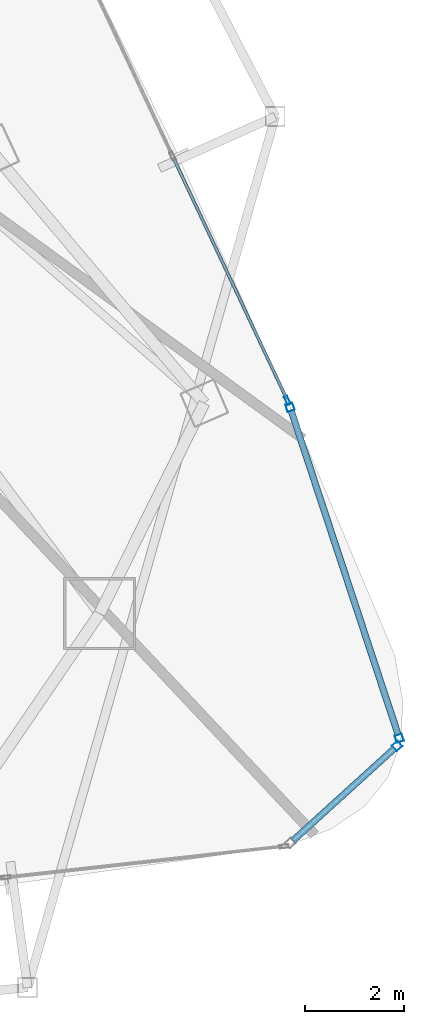
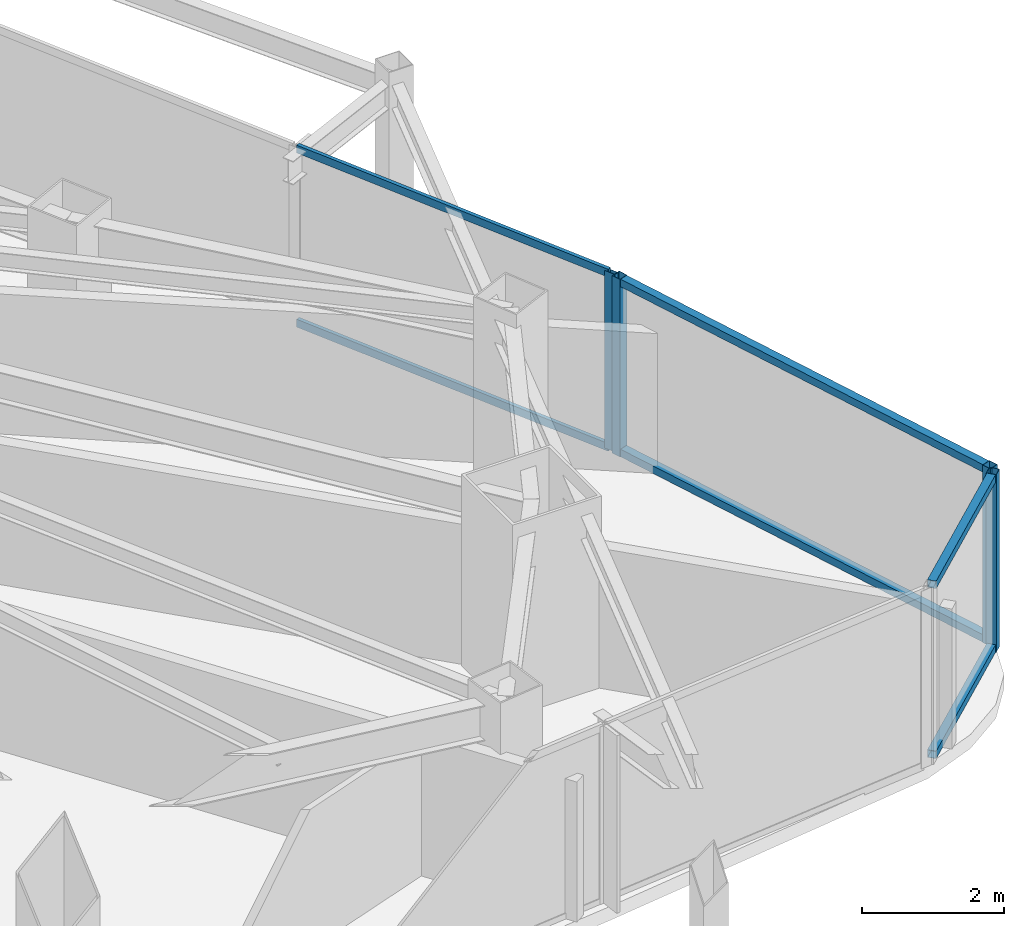
# One storey, part 14 of 29: 10 members, 3 elements without a shape of their own.
"""IFC4 building model written with IfcOpenShell, lengths in metres."""

from ifc_helpers import new_model, si_unit, direction, frame, origin, origin_2d, place, context, subcontext, project, spatial, hollow_rectangle, extrude, material, layer, layer_set, material_profile, profile_set, type_object, element, aggregate, save


model = new_model("IFC4")

# Units and contexts
model_context = context("Model", 3, precision=1e-05, world=origin(), true_north=direction((0.0, 1.0)))
body_context = subcontext(model_context, "Body", "Model", "MODEL_VIEW")
ifc_project = project(units=[si_unit("LENGTHUNIT", "METRE"), si_unit("AREAUNIT", "SQUARE_METRE"), si_unit("VOLUMEUNIT", "CUBIC_METRE"), si_unit("PLANEANGLEUNIT", "RADIAN"), si_unit("MASSUNIT", "GRAM", prefix="KILO")], contexts=[model_context])

# Site, building, storey
site_placement = place(None, origin())
site = spatial("IfcSite", under=ifc_project, at=site_placement, CompositionType="ELEMENT")
building_placement = place(site_placement, origin())
building = spatial("IfcBuilding", under=site, at=building_placement, Name="Orvanel Arch Residences", CompositionType="ELEMENT")
storey_placement = place(building_placement, frame((0.0, 0.0, 163.85009765625)))
storey = spatial("IfcBuildingStorey", under=building, at=storey_placement, Name="L46", CompositionType="ELEMENT", Elevation=163.85009765625)

# Curtain wall, member
ifc_material = material(Name="Bronze-anodised aluminium AA6063-T6", Category="aluminium")
ifc_layer_1 = layer(ifc_material, 0.18994140625)
ifc_layer_set_1 = layer_set([ifc_layer_1], Name="Bronze-anodised aluminium AA6063-T6")
curtain_wall_type_1 = type_object("IfcCurtainWallType", Name="CW5-CRN-SYS", PredefinedType="NOTDEFINED", material=ifc_layer_set_1)
curtain_wall_1_placement = place(storey_placement, origin())
curtain_wall_1 = element("IfcCurtainWall", 1, at=curtain_wall_1_placement, inside=storey, type_object=curtain_wall_type_1, Name="L46 CW5-CRN-SYS Unitised Curtain Wall", PredefinedType="NOTDEFINED")
ifc_material_profile_1 = material_profile(ifc_material, hollow_rectangle(XDim=0.14990234375, YDim=0.14990234375, WallThickness=0.0048828125, at=origin_2d()), Name="ALU150x150x5")
ifc_profile_set_1 = profile_set([ifc_material_profile_1], Name="Bronze-anodised aluminium AA6063-T6")
member_type_1 = type_object("IfcMemberType", Name="MUL-150x150", PredefinedType="MULLION", material=ifc_profile_set_1)
member_1_placement = place(storey_placement, frame((57.784423828125, 7.691650390625, 0.0), z_axis=(0.0, 0.0, 1.0), x_axis=(-0.672395615727, 0.740191958853, 0.0)))
member_1 = element("IfcMember", 2, at=member_1_placement, type_object=member_type_1, Name="CW-S5 mullion 2", PredefinedType="MULLION", context=body_context, shape_type="SweptSolid", body=[
    extrude(hollow_rectangle(XDim=0.14990234375, YDim=0.14990234375, WallThickness=0.0048828125, at=origin_2d()), origin(), (0.0, 0.0, 1.0), 3.059814453125),
])

# Curtain wall, members
curtain_wall_2_placement = place(storey_placement, origin())
curtain_wall_2 = element("IfcCurtainWall", 3, at=curtain_wall_2_placement, inside=storey, type_object=curtain_wall_type_1, Name="L46 CW5-CRN-SYS Unitised Curtain Wall", PredefinedType="NOTDEFINED")
member_2_placement = place(storey_placement, frame((57.825439453125, 7.84521484375, 0.0), z_axis=(0.0, 0.0, 1.0), x_axis=(-0.949629481018, -0.313374933239, 0.0)))
member_2 = element("IfcMember", 4, at=member_2_placement, type_object=member_type_1, Name="CW-S5 mullion 1", PredefinedType="MULLION", context=body_context, shape_type="SweptSolid", body=[
    extrude(hollow_rectangle(XDim=0.14990234375, YDim=0.14990234375, WallThickness=0.0048828125, at=origin_2d()), origin(), (0.0, 0.0, 1.0), 3.059814453125),
])
member_3_placement = place(storey_placement, frame((55.630615234375, 14.496826171875, 0.0), z_axis=(0.0, 0.0, 1.0), x_axis=(-0.949629481018, -0.313374933239, 0.0)))
member_3 = element("IfcMember", 5, at=member_3_placement, type_object=member_type_1, Name="CW-S5 mullion 2", PredefinedType="MULLION", context=body_context, shape_type="SweptSolid", body=[
    extrude(hollow_rectangle(XDim=0.14990234375, YDim=0.14990234375, WallThickness=0.0048828125, at=origin_2d()), origin(), (0.0, 0.0, 1.0), 3.059814453125),
])

# Curtain wall, member
ifc_layer_2 = layer(ifc_material, 0.179931640625)
ifc_layer_set_2 = layer_set([ifc_layer_2], Name="Bronze-anodised aluminium AA6063-T6")
curtain_wall_type_2 = type_object("IfcCurtainWallType", Name="CW3-MID-SYS", PredefinedType="NOTDEFINED", material=ifc_layer_set_2)
curtain_wall_3_placement = place(storey_placement, origin())
curtain_wall_3 = element("IfcCurtainWall", 6, at=curtain_wall_3_placement, inside=storey, type_object=curtain_wall_type_2, Name="L46 CW3-MID-SYS Unitised Curtain Wall", PredefinedType="NOTDEFINED")
ifc_material_profile_2 = material_profile(ifc_material, hollow_rectangle(XDim=0.070068359375, YDim=0.179931640625, WallThickness=0.00439453125, at=origin_2d()), Name="ALU180x70x4.5")
ifc_profile_set_2 = profile_set([ifc_material_profile_2], Name="Bronze-anodised aluminium AA6063-T6")
member_type_2 = type_object("IfcMemberType", Name="MUL-180x70", PredefinedType="MULLION", material=ifc_profile_set_2)
member_4_placement = place(storey_placement, frame((55.5771484375, 14.63671875, 0.0), z_axis=(0.0, 0.0, 1.0), x_axis=(-0.904972224309, -0.42547064908, 0.0)))
member_4 = element("IfcMember", 7, at=member_4_placement, type_object=member_type_2, Name="CW-S3 mullion 1", PredefinedType="MULLION", context=body_context, shape_type="SweptSolid", body=[
    extrude(hollow_rectangle(XDim=0.070068359375, YDim=0.179931640625, WallThickness=0.00439453125, at=origin_2d()), origin(), (0.0, 0.0, 1.0), 3.059814453125),
])

# Member
ifc_material_profile_3 = material_profile(ifc_material, hollow_rectangle(XDim=0.1298828125, YDim=0.1298828125, WallThickness=0.00439453125, at=origin_2d()), Name="ALU130x130x4.5")
ifc_profile_set_3 = profile_set([ifc_material_profile_3], Name="Bronze-anodised aluminium AA6063-T6")
member_type_3 = type_object("IfcMemberType", Name="TRN-130x130", PredefinedType="USERDEFINED", material=ifc_profile_set_3)
member_5_placement = place(storey_placement, frame((55.69091796875, 5.789794921875, 0.06494140625), z_axis=(0.740208829839, 0.672377043204, 0.0), x_axis=(-0.672377043204, 0.740208829839, 0.0)))
member_5 = element("IfcMember", 8, at=member_5_placement, type_object=member_type_3, Name="CW-S5 transom 1.1", ObjectType="TRANSOM", PredefinedType="USERDEFINED", context=body_context, shape_type="SweptSolid", body=[
    extrude(hollow_rectangle(XDim=0.1298828125, YDim=0.1298828125, WallThickness=0.00439453125, at=origin_2d()), origin(), (0.0, 0.0, 1.0), 2.75341796875),
])

member_6_placement = place(storey_placement, frame((55.69091796875, 5.789794921875, 2.994873046875), z_axis=(0.740208829839, 0.672377043204, 0.0), x_axis=(-0.672377043204, 0.740208829839, 0.0)))
member_6 = element("IfcMember", 9, at=member_6_placement, type_object=member_type_3, Name="CW-S5 transom 1.2", ObjectType="TRANSOM", PredefinedType="USERDEFINED", context=body_context, shape_type="SweptSolid", body=[
    extrude(hollow_rectangle(XDim=0.1298828125, YDim=0.1298828125, WallThickness=0.00439453125, at=origin_2d()), origin(), (0.0, 0.0, 1.0), 2.75341796875),
])

aggregate(curtain_wall_1, [member_1, member_5, member_6])

member_7_placement = place(storey_placement, frame((57.802001953125, 7.91650390625, 0.06494140625), z_axis=(-0.313373278504, 0.949630027074, 0.0), x_axis=(-0.949630027074, -0.313373278504, 0.0)))
member_7 = element("IfcMember", 10, at=member_7_placement, type_object=member_type_3, Name="CW-S5 transom 1.1", ObjectType="TRANSOM", PredefinedType="USERDEFINED", context=body_context, shape_type="SweptSolid", body=[
    extrude(hollow_rectangle(XDim=0.1298828125, YDim=0.1298828125, WallThickness=0.00439453125, at=origin_2d()), origin(), (0.0, 0.0, 1.0), 6.854248046875),
])

member_8_placement = place(storey_placement, frame((57.802001953125, 7.91650390625, 2.994873046875), z_axis=(-0.313373278504, 0.949630027074, 0.0), x_axis=(-0.949630027074, -0.313373278504, 0.0)))
member_8 = element("IfcMember", 11, at=member_8_placement, type_object=member_type_3, Name="CW-S5 transom 1.2", ObjectType="TRANSOM", PredefinedType="USERDEFINED", context=body_context, shape_type="SweptSolid", body=[
    extrude(hollow_rectangle(XDim=0.1298828125, YDim=0.1298828125, WallThickness=0.00439453125, at=origin_2d()), origin(), (0.0, 0.0, 1.0), 6.854248046875),
])

aggregate(curtain_wall_2, [member_2, member_3, member_7, member_8])

ifc_material_profile_4 = material_profile(ifc_material, hollow_rectangle(XDim=0.06005859375, YDim=0.135009765625, WallThickness=0.00390625, at=origin_2d()), Name="ALU135x60x4")
ifc_profile_set_4 = profile_set([ifc_material_profile_4], Name="Bronze-anodised aluminium AA6063-T6")
member_type_4 = type_object("IfcMemberType", Name="TRN-135x60", PredefinedType="USERDEFINED", material=ifc_profile_set_4)
member_9_placement = place(storey_placement, frame((55.562255859375, 14.66845703125, 0.02978515625), z_axis=(-0.425472047127, 0.904971567019, 0.0), x_axis=(-0.904971567019, -0.425472047127, 0.0)))
member_9 = element("IfcMember", 12, at=member_9_placement, type_object=member_type_4, Name="CW-S3 transom 1.1", ObjectType="TRANSOM", PredefinedType="USERDEFINED", context=body_context, shape_type="SweptSolid", body=[
    extrude(hollow_rectangle(XDim=0.06005859375, YDim=0.135009765625, WallThickness=0.00390625, at=origin_2d()), origin(), (0.0, 0.0, 1.0), 5.354736328125),
])

member_10_placement = place(storey_placement, frame((55.562255859375, 14.66845703125, 3.02978515625), z_axis=(-0.425472047127, 0.904971567019, 0.0), x_axis=(-0.904971567019, -0.425472047127, 0.0)))
member_10 = element("IfcMember", 13, at=member_10_placement, type_object=member_type_4, Name="CW-S3 transom 1.2", ObjectType="TRANSOM", PredefinedType="USERDEFINED", context=body_context, shape_type="SweptSolid", body=[
    extrude(hollow_rectangle(XDim=0.06005859375, YDim=0.135009765625, WallThickness=0.00390625, at=origin_2d()), origin(), (0.0, 0.0, 1.0), 5.354736328125),
])

aggregate(curtain_wall_3, [member_4, member_9, member_10])

save(model, "model.ifc")
